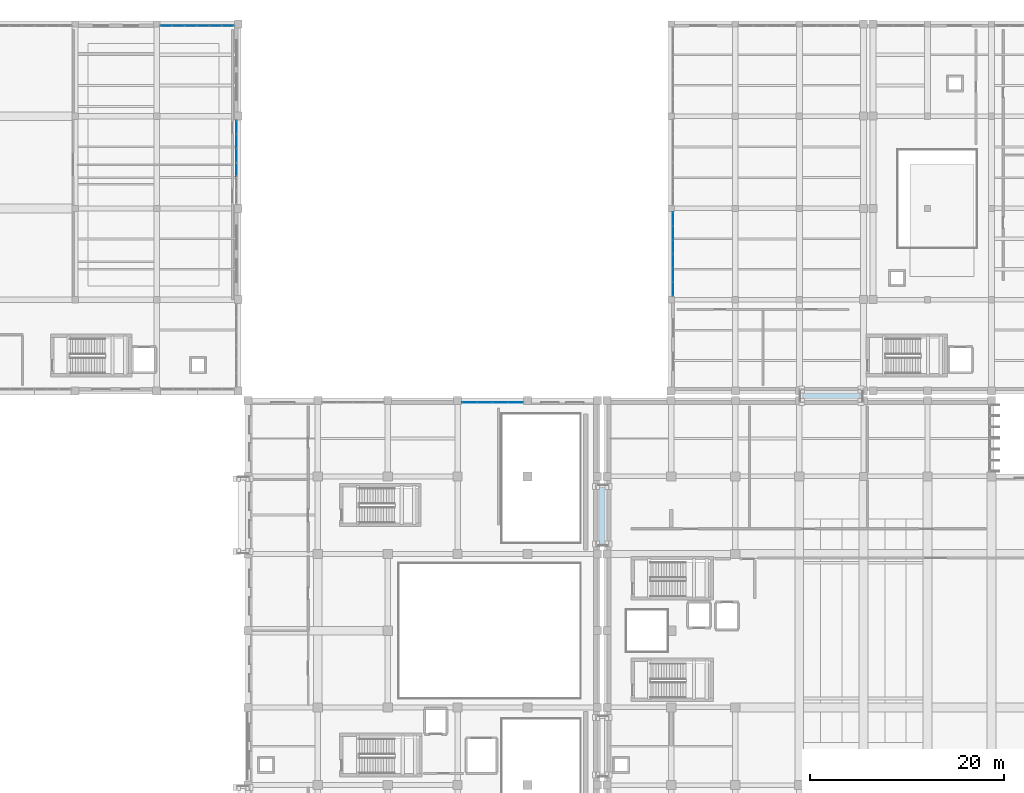
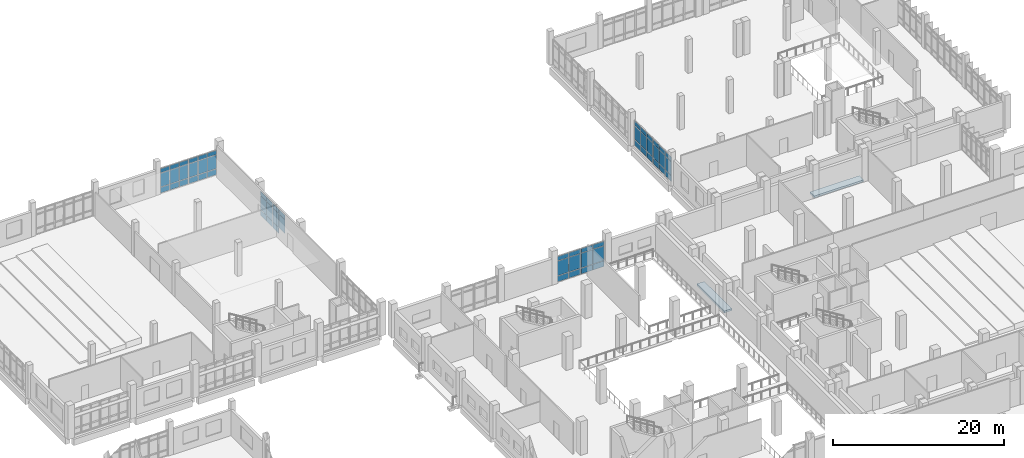
# One storey, part 57 of 90: 59 plates, 2 slabs, 8 elements without a shape of their own.
"""IFC4 building model written with IfcOpenShell, lengths in metres."""

from ifc_helpers import new_model, si_unit, direction, frame, origin, origin_2d, place, context, subcontext, project, spatial, polyline, rectangle, outline, extrude, material, layer, layer_set, type_object, element, aggregate, save


model = new_model("IFC4")

# Units and contexts
model_context = context("Model", 3, precision=1e-05, world=origin(), true_north=direction((0.0, 1.0)))
body_context = subcontext(model_context, "Body", "Model", "MODEL_VIEW")
ifc_project = project(units=[si_unit("LENGTHUNIT", "METRE"), si_unit("AREAUNIT", "SQUARE_METRE"), si_unit("VOLUMEUNIT", "CUBIC_METRE"), si_unit("PLANEANGLEUNIT", "RADIAN"), si_unit("MASSUNIT", "GRAM", prefix="KILO")], contexts=[model_context])

# Site, building, storey
site_placement = place(None, origin())
site = spatial("IfcSite", under=ifc_project, at=site_placement, CompositionType="ELEMENT")
building_placement = place(site_placement, origin())
building = spatial("IfcBuilding", under=site, at=building_placement, Name="Kelarvand Opera House", CompositionType="ELEMENT")
storey_placement = place(building_placement, frame((0.0, 0.0, 5.39990234375)))
storey = spatial("IfcBuildingStorey", under=building, at=storey_placement, Name="L01", CompositionType="ELEMENT", Elevation=5.39990234375)

# Curtain wall, plates
ifc_material_1 = material(Name="Thermally broken aluminium and low-E glazing", Category="aluminium")
ifc_layer_1 = layer(ifc_material_1, 0.179931640625, Name="Thermally broken aluminium and low-E glazing", Category="aluminium")
ifc_layer_set_1 = layer_set([ifc_layer_1], Name="Thermally broken aluminium and low-E glazing")
curtain_wall_type_1 = type_object("IfcCurtainWallType", Name="Unitised Low-E Curtain Wall 3176x3730 Mod 1350 CWF-10", PredefinedType="USERDEFINED", material=ifc_layer_set_1)
curtain_wall_1_placement = place(storey_placement, origin())
curtain_wall_1 = element("IfcCurtainWall", 1, at=curtain_wall_1_placement, inside=storey, type_object=curtain_wall_type_1, Name="V2 L01 Curtain Wall CWF-10 (33)", ObjectType="UNITISED CURTAIN WALL", PredefinedType="USERDEFINED")
ifc_material_2 = material(Name="Low-E laminated double glazing", Category="glass")
ifc_layer_2 = layer(ifc_material_2, 0.031982421875, Name="Low-E laminated double glazing", Category="glass")
ifc_layer_set_2 = layer_set([ifc_layer_2], Name="Low-E laminated double glazing")
plate_type = type_object("IfcPlateType", Name="Low-E Argon Double Glazed Curtain Panel 32mm", PredefinedType="CURTAIN_PANEL", material=ifc_layer_set_2)
plate_1_placement = place(storey_placement, frame((74.830322265625, 86.02001953125, 0.06494140625), z_axis=(0.0, 0.0, 1.0), x_axis=(1.0, 0.0, 0.0)))
plate_1 = element("IfcPlate", 2, at=plate_1_placement, type_object=plate_type, Name="CWF-10 panel 1.1", PredefinedType="CURTAIN_PANEL", context=body_context, shape_type="SweptSolid", body=[
    extrude(rectangle(XDim=1.490478515625, YDim=0.031982421875, at=origin_2d()), origin(), (0.0, 0.0, 1.0), 0.802490234375),
])
plate_2_placement = place(storey_placement, frame((74.830322265625, 86.02001953125, 0.9326171875), z_axis=(0.0, 0.0, 1.0), x_axis=(1.0, 0.0, 0.0)))
plate_2 = element("IfcPlate", 3, at=plate_2_placement, type_object=plate_type, Name="CWF-10 panel 1.2", PredefinedType="CURTAIN_PANEL", context=body_context, shape_type="SweptSolid", body=[
    extrude(rectangle(XDim=1.490478515625, YDim=0.031982421875, at=origin_2d()), origin(), (0.0, 0.0, 1.0), 2.06494140625),
])
plate_3_placement = place(storey_placement, frame((74.830322265625, 86.02001953125, 3.0625), z_axis=(0.0, 0.0, 1.0), x_axis=(1.0, 0.0, 0.0)))
plate_3 = element("IfcPlate", 4, at=plate_3_placement, type_object=plate_type, Name="CWF-10 panel 1.3", PredefinedType="CURTAIN_PANEL", context=body_context, shape_type="SweptSolid", body=[
    extrude(rectangle(XDim=1.490478515625, YDim=0.031982421875, at=origin_2d()), origin(), (0.0, 0.0, 1.0), 0.6025390625),
])
plate_4_placement = place(storey_placement, frame((76.3857421875, 86.02001953125, 0.06494140625), z_axis=(0.0, 0.0, 1.0), x_axis=(1.0, 0.0, 0.0)))
plate_4 = element("IfcPlate", 5, at=plate_4_placement, type_object=plate_type, Name="CWF-10 panel 2.1", PredefinedType="CURTAIN_PANEL", context=body_context, shape_type="SweptSolid", body=[
    extrude(rectangle(XDim=1.490478515625, YDim=0.031982421875, at=origin_2d()), origin(), (0.0, 0.0, 1.0), 0.802490234375),
])
plate_5_placement = place(storey_placement, frame((76.3857421875, 86.02001953125, 0.9326171875), z_axis=(0.0, 0.0, 1.0), x_axis=(1.0, 0.0, 0.0)))
plate_5 = element("IfcPlate", 6, at=plate_5_placement, type_object=plate_type, Name="CWF-10 panel 2.2", PredefinedType="CURTAIN_PANEL", context=body_context, shape_type="SweptSolid", body=[
    extrude(rectangle(XDim=1.490478515625, YDim=0.031982421875, at=origin_2d()), origin(), (0.0, 0.0, 1.0), 2.06494140625),
])
plate_6_placement = place(storey_placement, frame((76.3857421875, 86.02001953125, 3.0625), z_axis=(0.0, 0.0, 1.0), x_axis=(1.0, 0.0, 0.0)))
plate_6 = element("IfcPlate", 7, at=plate_6_placement, type_object=plate_type, Name="CWF-10 panel 2.3", PredefinedType="CURTAIN_PANEL", context=body_context, shape_type="SweptSolid", body=[
    extrude(rectangle(XDim=1.490478515625, YDim=0.031982421875, at=origin_2d()), origin(), (0.0, 0.0, 1.0), 0.6025390625),
])
aggregate(curtain_wall_1, [plate_1, plate_2, plate_3, plate_4, plate_5, plate_6])

curtain_wall_2_placement = place(storey_placement, origin())
curtain_wall_2 = element("IfcCurtainWall", 8, at=curtain_wall_2_placement, inside=storey, type_object=curtain_wall_type_1, Name="V2 L01 Curtain Wall CWF-10 (34)", ObjectType="UNITISED CURTAIN WALL", PredefinedType="USERDEFINED")
plate_7_placement = place(storey_placement, frame((78.01123046875, 86.02001953125, 0.06494140625), z_axis=(0.0, 0.0, 1.0), x_axis=(1.0, 0.0, 0.0)))
plate_7 = element("IfcPlate", 9, at=plate_7_placement, type_object=plate_type, Name="CWF-10 panel 1.1", PredefinedType="CURTAIN_PANEL", context=body_context, shape_type="SweptSolid", body=[
    extrude(rectangle(XDim=1.492431640625, YDim=0.031982421875, at=origin_2d()), origin(), (0.0, 0.0, 1.0), 0.802490234375),
])
plate_8_placement = place(storey_placement, frame((78.01123046875, 86.02001953125, 0.9326171875), z_axis=(0.0, 0.0, 1.0), x_axis=(1.0, 0.0, 0.0)))
plate_8 = element("IfcPlate", 10, at=plate_8_placement, type_object=plate_type, Name="CWF-10 panel 1.2", PredefinedType="CURTAIN_PANEL", context=body_context, shape_type="SweptSolid", body=[
    extrude(rectangle(XDim=1.492431640625, YDim=0.031982421875, at=origin_2d()), origin(), (0.0, 0.0, 1.0), 2.06494140625),
])
plate_9_placement = place(storey_placement, frame((78.01123046875, 86.02001953125, 3.0625), z_axis=(0.0, 0.0, 1.0), x_axis=(1.0, 0.0, 0.0)))
plate_9 = element("IfcPlate", 11, at=plate_9_placement, type_object=plate_type, Name="CWF-10 panel 1.3", PredefinedType="CURTAIN_PANEL", context=body_context, shape_type="SweptSolid", body=[
    extrude(rectangle(XDim=1.492431640625, YDim=0.031982421875, at=origin_2d()), origin(), (0.0, 0.0, 1.0), 0.6025390625),
])
plate_10_placement = place(storey_placement, frame((79.56884765625, 86.02001953125, 0.06494140625), z_axis=(0.0, 0.0, 1.0), x_axis=(1.0, 0.0, 0.0)))
plate_10 = element("IfcPlate", 12, at=plate_10_placement, type_object=plate_type, Name="CWF-10 panel 2.1", PredefinedType="CURTAIN_PANEL", context=body_context, shape_type="SweptSolid", body=[
    extrude(rectangle(XDim=1.492431640625, YDim=0.031982421875, at=origin_2d()), origin(), (0.0, 0.0, 1.0), 0.802490234375),
])
plate_11_placement = place(storey_placement, frame((79.56884765625, 86.02001953125, 0.9326171875), z_axis=(0.0, 0.0, 1.0), x_axis=(1.0, 0.0, 0.0)))
plate_11 = element("IfcPlate", 13, at=plate_11_placement, type_object=plate_type, Name="CWF-10 panel 2.2", PredefinedType="CURTAIN_PANEL", context=body_context, shape_type="SweptSolid", body=[
    extrude(rectangle(XDim=1.492431640625, YDim=0.031982421875, at=origin_2d()), origin(), (0.0, 0.0, 1.0), 2.06494140625),
])
plate_12_placement = place(storey_placement, frame((79.56884765625, 86.02001953125, 3.0625), z_axis=(0.0, 0.0, 1.0), x_axis=(1.0, 0.0, 0.0)))
plate_12 = element("IfcPlate", 14, at=plate_12_placement, type_object=plate_type, Name="CWF-10 panel 2.3", PredefinedType="CURTAIN_PANEL", context=body_context, shape_type="SweptSolid", body=[
    extrude(rectangle(XDim=1.492431640625, YDim=0.031982421875, at=origin_2d()), origin(), (0.0, 0.0, 1.0), 0.6025390625),
])
aggregate(curtain_wall_2, [plate_7, plate_8, plate_9, plate_10, plate_11, plate_12])

ifc_layer_3 = layer(ifc_material_1, 0.179931640625, Name="Thermally broken aluminium and low-E glazing", Category="aluminium")
ifc_layer_set_3 = layer_set([ifc_layer_3], Name="Thermally broken aluminium and low-E glazing")
curtain_wall_type_2 = type_object("IfcCurtainWallType", Name="Unitised Low-E Curtain Wall 4326x3600 Mod 1350 CWF-15", PredefinedType="USERDEFINED", material=ifc_layer_set_3)
curtain_wall_3_placement = place(storey_placement, origin())
curtain_wall_3 = element("IfcCurtainWall", 15, at=curtain_wall_3_placement, inside=storey, type_object=curtain_wall_type_2, Name="V3 L01 Curtain Wall CWF-15 (47)", ObjectType="UNITISED CURTAIN WALL", PredefinedType="USERDEFINED")
plate_13_placement = place(storey_placement, frame((50.820068359375, 114.3427734375, 0.06494140625), z_axis=(0.0, 0.0, 1.0), x_axis=(0.0, -1.0, 0.0)))
plate_13 = element("IfcPlate", 16, at=plate_13_placement, type_object=plate_type, Name="CWF-15 panel 1.1", PredefinedType="CURTAIN_PANEL", context=body_context, shape_type="SweptSolid", body=[
    extrude(rectangle(XDim=1.344482421875, YDim=0.031982421875, at=origin_2d()), origin(), (0.0, 0.0, 1.0), 0.802490234375),
])
plate_14_placement = place(storey_placement, frame((50.820068359375, 114.3427734375, 0.9326171875), z_axis=(0.0, 0.0, 1.0), x_axis=(0.0, -1.0, 0.0)))
plate_14 = element("IfcPlate", 17, at=plate_14_placement, type_object=plate_type, Name="CWF-15 panel 1.2", PredefinedType="CURTAIN_PANEL", context=body_context, shape_type="SweptSolid", body=[
    extrude(rectangle(XDim=1.344482421875, YDim=0.031982421875, at=origin_2d()), origin(), (0.0, 0.0, 1.0), 1.93505859375),
])
plate_15_placement = place(storey_placement, frame((50.820068359375, 114.3427734375, 2.9326171875), z_axis=(0.0, 0.0, 1.0), x_axis=(0.0, -1.0, 0.0)))
plate_15 = element("IfcPlate", 18, at=plate_15_placement, type_object=plate_type, Name="CWF-15 panel 1.3", PredefinedType="CURTAIN_PANEL", context=body_context, shape_type="SweptSolid", body=[
    extrude(rectangle(XDim=1.344482421875, YDim=0.031982421875, at=origin_2d()), origin(), (0.0, 0.0, 1.0), 0.6025390625),
])
plate_16_placement = place(storey_placement, frame((50.820068359375, 112.9169921875, 0.06494140625), z_axis=(0.0, 0.0, 1.0), x_axis=(0.0, -1.0, 0.0)))
plate_16 = element("IfcPlate", 19, at=plate_16_placement, type_object=plate_type, Name="CWF-15 panel 2.1", PredefinedType="CURTAIN_PANEL", context=body_context, shape_type="SweptSolid", body=[
    extrude(rectangle(XDim=1.376953125, YDim=0.031982421875, at=origin_2d()), origin(), (0.0, 0.0, 1.0), 0.802490234375),
])
plate_17_placement = place(storey_placement, frame((50.820068359375, 112.9169921875, 0.9326171875), z_axis=(0.0, 0.0, 1.0), x_axis=(0.0, -1.0, 0.0)))
plate_17 = element("IfcPlate", 20, at=plate_17_placement, type_object=plate_type, Name="CWF-15 panel 2.2", PredefinedType="CURTAIN_PANEL", context=body_context, shape_type="SweptSolid", body=[
    extrude(rectangle(XDim=1.376953125, YDim=0.031982421875, at=origin_2d()), origin(), (0.0, 0.0, 1.0), 1.93505859375),
])
plate_18_placement = place(storey_placement, frame((50.820068359375, 112.9169921875, 2.9326171875), z_axis=(0.0, 0.0, 1.0), x_axis=(0.0, -1.0, 0.0)))
plate_18 = element("IfcPlate", 21, at=plate_18_placement, type_object=plate_type, Name="CWF-15 panel 2.3", PredefinedType="CURTAIN_PANEL", context=body_context, shape_type="SweptSolid", body=[
    extrude(rectangle(XDim=1.376953125, YDim=0.031982421875, at=origin_2d()), origin(), (0.0, 0.0, 1.0), 0.6025390625),
])
plate_19_placement = place(storey_placement, frame((50.820068359375, 111.4912109375, 0.06494140625), z_axis=(0.0, 0.0, 1.0), x_axis=(0.0, -1.0, 0.0)))
plate_19 = element("IfcPlate", 22, at=plate_19_placement, type_object=plate_type, Name="CWF-15 panel 3.1", PredefinedType="CURTAIN_PANEL", context=body_context, shape_type="SweptSolid", body=[
    extrude(rectangle(XDim=1.344482421875, YDim=0.031982421875, at=origin_2d()), origin(), (0.0, 0.0, 1.0), 0.802490234375),
])
plate_20_placement = place(storey_placement, frame((50.820068359375, 111.4912109375, 0.9326171875), z_axis=(0.0, 0.0, 1.0), x_axis=(0.0, -1.0, 0.0)))
plate_20 = element("IfcPlate", 23, at=plate_20_placement, type_object=plate_type, Name="CWF-15 panel 3.2", PredefinedType="CURTAIN_PANEL", context=body_context, shape_type="SweptSolid", body=[
    extrude(rectangle(XDim=1.344482421875, YDim=0.031982421875, at=origin_2d()), origin(), (0.0, 0.0, 1.0), 1.93505859375),
])
plate_21_placement = place(storey_placement, frame((50.820068359375, 111.4912109375, 2.9326171875), z_axis=(0.0, 0.0, 1.0), x_axis=(0.0, -1.0, 0.0)))
plate_21 = element("IfcPlate", 24, at=plate_21_placement, type_object=plate_type, Name="CWF-15 panel 3.3", PredefinedType="CURTAIN_PANEL", context=body_context, shape_type="SweptSolid", body=[
    extrude(rectangle(XDim=1.344482421875, YDim=0.031982421875, at=origin_2d()), origin(), (0.0, 0.0, 1.0), 0.6025390625),
])
aggregate(curtain_wall_3, [plate_13, plate_14, plate_15, plate_16, plate_17, plate_18, plate_19, plate_20, plate_21])

curtain_wall_4_placement = place(storey_placement, origin())
curtain_wall_4 = element("IfcCurtainWall", 25, at=curtain_wall_4_placement, inside=storey, type_object=curtain_wall_type_2, Name="V3 L01 Curtain Wall CWF-15 (48)", ObjectType="UNITISED CURTAIN WALL", PredefinedType="USERDEFINED")
plate_22_placement = place(storey_placement, frame((50.820068359375, 110.011962890625, 0.9326171875), z_axis=(0.0, 0.0, 1.0), x_axis=(0.0, -1.0, 0.0)))
plate_22 = element("IfcPlate", 26, at=plate_22_placement, type_object=plate_type, Name="CWF-15 panel 1.2", PredefinedType="CURTAIN_PANEL", context=body_context, shape_type="SweptSolid", body=[
    extrude(rectangle(XDim=1.345947265625, YDim=0.031982421875, at=origin_2d()), origin(), (0.0, 0.0, 1.0), 1.93505859375),
])
plate_23_placement = place(storey_placement, frame((50.820068359375, 110.011962890625, 2.9326171875), z_axis=(0.0, 0.0, 1.0), x_axis=(0.0, -1.0, 0.0)))
plate_23 = element("IfcPlate", 27, at=plate_23_placement, type_object=plate_type, Name="CWF-15 panel 1.3", PredefinedType="CURTAIN_PANEL", context=body_context, shape_type="SweptSolid", body=[
    extrude(rectangle(XDim=1.345947265625, YDim=0.031982421875, at=origin_2d()), origin(), (0.0, 0.0, 1.0), 0.6025390625),
])
aggregate(curtain_wall_4, [plate_22, plate_23])

ifc_layer_4 = layer(ifc_material_1, 0.179931640625, Name="Thermally broken aluminium and low-E glazing", Category="aluminium")
ifc_layer_set_4 = layer_set([ifc_layer_4], Name="Thermally broken aluminium and low-E glazing")
curtain_wall_type_3 = type_object("IfcCurtainWallType", Name="Unitised Low-E Curtain Wall 3818x3600 Mod 1350 CWF-18", PredefinedType="USERDEFINED", material=ifc_layer_set_4)
curtain_wall_5_placement = place(storey_placement, origin())
curtain_wall_5 = element("IfcCurtainWall", 28, at=curtain_wall_5_placement, inside=storey, type_object=curtain_wall_type_3, Name="V3 L01 Curtain Wall CWF-18 (55)", ObjectType="UNITISED CURTAIN WALL", PredefinedType="USERDEFINED")
plate_24_placement = place(storey_placement, frame((43.587646484375, 124.820068359375, 0.06494140625), z_axis=(0.0, 0.0, 1.0), x_axis=(1.0, 0.0, 0.0)))
plate_24 = element("IfcPlate", 29, at=plate_24_placement, type_object=plate_type, Name="CWF-18 panel 1.1", PredefinedType="CURTAIN_PANEL", context=body_context, shape_type="SweptSolid", body=[
    extrude(rectangle(XDim=1.17529296875, YDim=0.031982421875, at=origin_2d()), origin(), (0.0, 0.0, 1.0), 0.802490234375),
])
plate_25_placement = place(storey_placement, frame((43.587646484375, 124.820068359375, 0.9326171875), z_axis=(0.0, 0.0, 1.0), x_axis=(1.0, 0.0, 0.0)))
plate_25 = element("IfcPlate", 30, at=plate_25_placement, type_object=plate_type, Name="CWF-18 panel 1.2", PredefinedType="CURTAIN_PANEL", context=body_context, shape_type="SweptSolid", body=[
    extrude(rectangle(XDim=1.17529296875, YDim=0.031982421875, at=origin_2d()), origin(), (0.0, 0.0, 1.0), 1.93505859375),
])
plate_26_placement = place(storey_placement, frame((43.587646484375, 124.820068359375, 2.9326171875), z_axis=(0.0, 0.0, 1.0), x_axis=(1.0, 0.0, 0.0)))
plate_26 = element("IfcPlate", 31, at=plate_26_placement, type_object=plate_type, Name="CWF-18 panel 1.3", PredefinedType="CURTAIN_PANEL", context=body_context, shape_type="SweptSolid", body=[
    extrude(rectangle(XDim=1.17529296875, YDim=0.031982421875, at=origin_2d()), origin(), (0.0, 0.0, 1.0), 0.6025390625),
])
plate_27_placement = place(storey_placement, frame((44.84423828125, 124.820068359375, 0.06494140625), z_axis=(0.0, 0.0, 1.0), x_axis=(1.0, 0.0, 0.0)))
plate_27 = element("IfcPlate", 32, at=plate_27_placement, type_object=plate_type, Name="CWF-18 panel 2.1", PredefinedType="CURTAIN_PANEL", context=body_context, shape_type="SweptSolid", body=[
    extrude(rectangle(XDim=1.207763671875, YDim=0.031982421875, at=origin_2d()), origin(), (0.0, 0.0, 1.0), 0.802490234375),
])
plate_28_placement = place(storey_placement, frame((44.84423828125, 124.820068359375, 0.9326171875), z_axis=(0.0, 0.0, 1.0), x_axis=(1.0, 0.0, 0.0)))
plate_28 = element("IfcPlate", 33, at=plate_28_placement, type_object=plate_type, Name="CWF-18 panel 2.2", PredefinedType="CURTAIN_PANEL", context=body_context, shape_type="SweptSolid", body=[
    extrude(rectangle(XDim=1.207763671875, YDim=0.031982421875, at=origin_2d()), origin(), (0.0, 0.0, 1.0), 1.93505859375),
])
plate_29_placement = place(storey_placement, frame((44.84423828125, 124.820068359375, 2.9326171875), z_axis=(0.0, 0.0, 1.0), x_axis=(1.0, 0.0, 0.0)))
plate_29 = element("IfcPlate", 34, at=plate_29_placement, type_object=plate_type, Name="CWF-18 panel 2.3", PredefinedType="CURTAIN_PANEL", context=body_context, shape_type="SweptSolid", body=[
    extrude(rectangle(XDim=1.207763671875, YDim=0.031982421875, at=origin_2d()), origin(), (0.0, 0.0, 1.0), 0.6025390625),
])
plate_30_placement = place(storey_placement, frame((46.100830078125, 124.820068359375, 0.06494140625), z_axis=(0.0, 0.0, 1.0), x_axis=(1.0, 0.0, 0.0)))
plate_30 = element("IfcPlate", 35, at=plate_30_placement, type_object=plate_type, Name="CWF-18 panel 3.1", PredefinedType="CURTAIN_PANEL", context=body_context, shape_type="SweptSolid", body=[
    extrude(rectangle(XDim=1.17529296875, YDim=0.031982421875, at=origin_2d()), origin(), (0.0, 0.0, 1.0), 0.802490234375),
])
plate_31_placement = place(storey_placement, frame((46.100830078125, 124.820068359375, 0.9326171875), z_axis=(0.0, 0.0, 1.0), x_axis=(1.0, 0.0, 0.0)))
plate_31 = element("IfcPlate", 36, at=plate_31_placement, type_object=plate_type, Name="CWF-18 panel 3.2", PredefinedType="CURTAIN_PANEL", context=body_context, shape_type="SweptSolid", body=[
    extrude(rectangle(XDim=1.17529296875, YDim=0.031982421875, at=origin_2d()), origin(), (0.0, 0.0, 1.0), 1.93505859375),
])
plate_32_placement = place(storey_placement, frame((46.100830078125, 124.820068359375, 2.9326171875), z_axis=(0.0, 0.0, 1.0), x_axis=(1.0, 0.0, 0.0)))
plate_32 = element("IfcPlate", 37, at=plate_32_placement, type_object=plate_type, Name="CWF-18 panel 3.3", PredefinedType="CURTAIN_PANEL", context=body_context, shape_type="SweptSolid", body=[
    extrude(rectangle(XDim=1.17529296875, YDim=0.031982421875, at=origin_2d()), origin(), (0.0, 0.0, 1.0), 0.6025390625),
])
aggregate(curtain_wall_5, [plate_24, plate_25, plate_26, plate_27, plate_28, plate_29, plate_30, plate_31, plate_32])

curtain_wall_6_placement = place(storey_placement, origin())
curtain_wall_6 = element("IfcCurtainWall", 38, at=curtain_wall_6_placement, inside=storey, type_object=curtain_wall_type_3, Name="V3 L01 Curtain Wall CWF-18 (56)", ObjectType="UNITISED CURTAIN WALL", PredefinedType="USERDEFINED")
plate_33_placement = place(storey_placement, frame((47.410888671875, 124.820068359375, 0.06494140625), z_axis=(0.0, 0.0, 1.0), x_axis=(1.0, 0.0, 0.0)))
plate_33 = element("IfcPlate", 39, at=plate_33_placement, type_object=plate_type, Name="CWF-18 panel 1.1", PredefinedType="CURTAIN_PANEL", context=body_context, shape_type="SweptSolid", body=[
    extrude(rectangle(XDim=1.1767578125, YDim=0.031982421875, at=origin_2d()), origin(), (0.0, 0.0, 1.0), 0.802490234375),
])
plate_34_placement = place(storey_placement, frame((47.410888671875, 124.820068359375, 0.9326171875), z_axis=(0.0, 0.0, 1.0), x_axis=(1.0, 0.0, 0.0)))
plate_34 = element("IfcPlate", 40, at=plate_34_placement, type_object=plate_type, Name="CWF-18 panel 1.2", PredefinedType="CURTAIN_PANEL", context=body_context, shape_type="SweptSolid", body=[
    extrude(rectangle(XDim=1.1767578125, YDim=0.031982421875, at=origin_2d()), origin(), (0.0, 0.0, 1.0), 1.93505859375),
])
plate_35_placement = place(storey_placement, frame((47.410888671875, 124.820068359375, 2.9326171875), z_axis=(0.0, 0.0, 1.0), x_axis=(1.0, 0.0, 0.0)))
plate_35 = element("IfcPlate", 41, at=plate_35_placement, type_object=plate_type, Name="CWF-18 panel 1.3", PredefinedType="CURTAIN_PANEL", context=body_context, shape_type="SweptSolid", body=[
    extrude(rectangle(XDim=1.1767578125, YDim=0.031982421875, at=origin_2d()), origin(), (0.0, 0.0, 1.0), 0.6025390625),
])
plate_36_placement = place(storey_placement, frame((48.668701171875, 124.820068359375, 0.06494140625), z_axis=(0.0, 0.0, 1.0), x_axis=(1.0, 0.0, 0.0)))
plate_36 = element("IfcPlate", 42, at=plate_36_placement, type_object=plate_type, Name="CWF-18 panel 2.1", PredefinedType="CURTAIN_PANEL", context=body_context, shape_type="SweptSolid", body=[
    extrude(rectangle(XDim=1.209228515625, YDim=0.031982421875, at=origin_2d()), origin(), (0.0, 0.0, 1.0), 0.802490234375),
])
plate_37_placement = place(storey_placement, frame((48.668701171875, 124.820068359375, 0.9326171875), z_axis=(0.0, 0.0, 1.0), x_axis=(1.0, 0.0, 0.0)))
plate_37 = element("IfcPlate", 43, at=plate_37_placement, type_object=plate_type, Name="CWF-18 panel 2.2", PredefinedType="CURTAIN_PANEL", context=body_context, shape_type="SweptSolid", body=[
    extrude(rectangle(XDim=1.209228515625, YDim=0.031982421875, at=origin_2d()), origin(), (0.0, 0.0, 1.0), 1.93505859375),
])
plate_38_placement = place(storey_placement, frame((48.668701171875, 124.820068359375, 2.9326171875), z_axis=(0.0, 0.0, 1.0), x_axis=(1.0, 0.0, 0.0)))
plate_38 = element("IfcPlate", 44, at=plate_38_placement, type_object=plate_type, Name="CWF-18 panel 2.3", PredefinedType="CURTAIN_PANEL", context=body_context, shape_type="SweptSolid", body=[
    extrude(rectangle(XDim=1.209228515625, YDim=0.031982421875, at=origin_2d()), origin(), (0.0, 0.0, 1.0), 0.6025390625),
])
plate_39_placement = place(storey_placement, frame((49.9267578125, 124.820068359375, 0.06494140625), z_axis=(0.0, 0.0, 1.0), x_axis=(1.0, 0.0, 0.0)))
plate_39 = element("IfcPlate", 45, at=plate_39_placement, type_object=plate_type, Name="CWF-18 panel 3.1", PredefinedType="CURTAIN_PANEL", context=body_context, shape_type="SweptSolid", body=[
    extrude(rectangle(XDim=1.1767578125, YDim=0.031982421875, at=origin_2d()), origin(), (0.0, 0.0, 1.0), 0.802490234375),
])
plate_40_placement = place(storey_placement, frame((49.9267578125, 124.820068359375, 0.9326171875), z_axis=(0.0, 0.0, 1.0), x_axis=(1.0, 0.0, 0.0)))
plate_40 = element("IfcPlate", 46, at=plate_40_placement, type_object=plate_type, Name="CWF-18 panel 3.2", PredefinedType="CURTAIN_PANEL", context=body_context, shape_type="SweptSolid", body=[
    extrude(rectangle(XDim=1.1767578125, YDim=0.031982421875, at=origin_2d()), origin(), (0.0, 0.0, 1.0), 1.93505859375),
])
plate_41_placement = place(storey_placement, frame((49.9267578125, 124.820068359375, 2.9326171875), z_axis=(0.0, 0.0, 1.0), x_axis=(1.0, 0.0, 0.0)))
plate_41 = element("IfcPlate", 47, at=plate_41_placement, type_object=plate_type, Name="CWF-18 panel 3.3", PredefinedType="CURTAIN_PANEL", context=body_context, shape_type="SweptSolid", body=[
    extrude(rectangle(XDim=1.1767578125, YDim=0.031982421875, at=origin_2d()), origin(), (0.0, 0.0, 1.0), 0.6025390625),
])
aggregate(curtain_wall_6, [plate_33, plate_34, plate_35, plate_36, plate_37, plate_38, plate_39, plate_40, plate_41])

ifc_layer_5 = layer(ifc_material_1, 0.179931640625, Name="Thermally broken aluminium and low-E glazing", Category="aluminium")
ifc_layer_set_5 = layer_set([ifc_layer_5], Name="Thermally broken aluminium and low-E glazing")
curtain_wall_type_4 = type_object("IfcCurtainWallType", Name="Unitised Low-E Curtain Wall 4361x3600 Mod 1450 CWF-42", PredefinedType="USERDEFINED", material=ifc_layer_set_5)
curtain_wall_7_placement = place(storey_placement, origin())
curtain_wall_7 = element("IfcCurtainWall", 48, at=curtain_wall_7_placement, inside=storey, type_object=curtain_wall_type_4, Name="V5 L01 Curtain Wall CWF-42 (184)", ObjectType="UNITISED CURTAIN WALL", PredefinedType="USERDEFINED")
plate_42_placement = place(storey_placement, frame((95.780029296875, 97.677978515625, 0.06494140625), z_axis=(0.0, 0.0, 1.0), x_axis=(0.0, 1.0, 0.0)))
plate_42 = element("IfcPlate", 49, at=plate_42_placement, type_object=plate_type, Name="CWF-42 panel 1.1", PredefinedType="CURTAIN_PANEL", context=body_context, shape_type="SweptSolid", body=[
    extrude(rectangle(XDim=1.356201171875, YDim=0.031982421875, at=origin_2d()), origin(), (0.0, 0.0, 1.0), 0.802490234375),
])
plate_43_placement = place(storey_placement, frame((95.780029296875, 97.677978515625, 0.9326171875), z_axis=(0.0, 0.0, 1.0), x_axis=(0.0, 1.0, 0.0)))
plate_43 = element("IfcPlate", 50, at=plate_43_placement, type_object=plate_type, Name="CWF-42 panel 1.2", PredefinedType="CURTAIN_PANEL", context=body_context, shape_type="SweptSolid", body=[
    extrude(rectangle(XDim=1.356201171875, YDim=0.031982421875, at=origin_2d()), origin(), (0.0, 0.0, 1.0), 1.93505859375),
])
plate_44_placement = place(storey_placement, frame((95.780029296875, 97.677978515625, 2.9326171875), z_axis=(0.0, 0.0, 1.0), x_axis=(0.0, 1.0, 0.0)))
plate_44 = element("IfcPlate", 51, at=plate_44_placement, type_object=plate_type, Name="CWF-42 panel 1.3", PredefinedType="CURTAIN_PANEL", context=body_context, shape_type="SweptSolid", body=[
    extrude(rectangle(XDim=1.356201171875, YDim=0.031982421875, at=origin_2d()), origin(), (0.0, 0.0, 1.0), 0.6025390625),
])
plate_45_placement = place(storey_placement, frame((95.780029296875, 99.115478515625, 0.06494140625), z_axis=(0.0, 0.0, 1.0), x_axis=(0.0, 1.0, 0.0)))
plate_45 = element("IfcPlate", 52, at=plate_45_placement, type_object=plate_type, Name="CWF-42 panel 2.1", PredefinedType="CURTAIN_PANEL", context=body_context, shape_type="SweptSolid", body=[
    extrude(rectangle(XDim=1.388671875, YDim=0.031982421875, at=origin_2d()), origin(), (0.0, 0.0, 1.0), 0.802490234375),
])
plate_46_placement = place(storey_placement, frame((95.780029296875, 99.115478515625, 0.9326171875), z_axis=(0.0, 0.0, 1.0), x_axis=(0.0, 1.0, 0.0)))
plate_46 = element("IfcPlate", 53, at=plate_46_placement, type_object=plate_type, Name="CWF-42 panel 2.2", PredefinedType="CURTAIN_PANEL", context=body_context, shape_type="SweptSolid", body=[
    extrude(rectangle(XDim=1.388671875, YDim=0.031982421875, at=origin_2d()), origin(), (0.0, 0.0, 1.0), 1.93505859375),
])
plate_47_placement = place(storey_placement, frame((95.780029296875, 99.115478515625, 2.9326171875), z_axis=(0.0, 0.0, 1.0), x_axis=(0.0, 1.0, 0.0)))
plate_47 = element("IfcPlate", 54, at=plate_47_placement, type_object=plate_type, Name="CWF-42 panel 2.3", PredefinedType="CURTAIN_PANEL", context=body_context, shape_type="SweptSolid", body=[
    extrude(rectangle(XDim=1.388671875, YDim=0.031982421875, at=origin_2d()), origin(), (0.0, 0.0, 1.0), 0.6025390625),
])
plate_48_placement = place(storey_placement, frame((95.780029296875, 100.552978515625, 0.06494140625), z_axis=(0.0, 0.0, 1.0), x_axis=(0.0, 1.0, 0.0)))
plate_48 = element("IfcPlate", 55, at=plate_48_placement, type_object=plate_type, Name="CWF-42 panel 3.1", PredefinedType="CURTAIN_PANEL", context=body_context, shape_type="SweptSolid", body=[
    extrude(rectangle(XDim=1.356201171875, YDim=0.031982421875, at=origin_2d()), origin(), (0.0, 0.0, 1.0), 0.802490234375),
])
plate_49_placement = place(storey_placement, frame((95.780029296875, 100.552978515625, 0.9326171875), z_axis=(0.0, 0.0, 1.0), x_axis=(0.0, 1.0, 0.0)))
plate_49 = element("IfcPlate", 56, at=plate_49_placement, type_object=plate_type, Name="CWF-42 panel 3.2", PredefinedType="CURTAIN_PANEL", context=body_context, shape_type="SweptSolid", body=[
    extrude(rectangle(XDim=1.356201171875, YDim=0.031982421875, at=origin_2d()), origin(), (0.0, 0.0, 1.0), 1.93505859375),
])
plate_50_placement = place(storey_placement, frame((95.780029296875, 100.552978515625, 2.9326171875), z_axis=(0.0, 0.0, 1.0), x_axis=(0.0, 1.0, 0.0)))
plate_50 = element("IfcPlate", 57, at=plate_50_placement, type_object=plate_type, Name="CWF-42 panel 3.3", PredefinedType="CURTAIN_PANEL", context=body_context, shape_type="SweptSolid", body=[
    extrude(rectangle(XDim=1.356201171875, YDim=0.031982421875, at=origin_2d()), origin(), (0.0, 0.0, 1.0), 0.6025390625),
])
aggregate(curtain_wall_7, [plate_42, plate_43, plate_44, plate_45, plate_46, plate_47, plate_48, plate_49, plate_50])

curtain_wall_8_placement = place(storey_placement, origin())
curtain_wall_8 = element("IfcCurtainWall", 58, at=curtain_wall_8_placement, inside=storey, type_object=curtain_wall_type_4, Name="V5 L01 Curtain Wall CWF-42 (185)", ObjectType="UNITISED CURTAIN WALL", PredefinedType="USERDEFINED")
plate_51_placement = place(storey_placement, frame((95.780029296875, 102.043701171875, 0.06494140625), z_axis=(0.0, 0.0, 1.0), x_axis=(0.0, 1.0, 0.0)))
plate_51 = element("IfcPlate", 59, at=plate_51_placement, type_object=plate_type, Name="CWF-42 panel 1.1", PredefinedType="CURTAIN_PANEL", context=body_context, shape_type="SweptSolid", body=[
    extrude(rectangle(XDim=1.357421875, YDim=0.031982421875, at=origin_2d()), origin(), (0.0, 0.0, 1.0), 0.802490234375),
])
plate_52_placement = place(storey_placement, frame((95.780029296875, 102.043701171875, 0.9326171875), z_axis=(0.0, 0.0, 1.0), x_axis=(0.0, 1.0, 0.0)))
plate_52 = element("IfcPlate", 60, at=plate_52_placement, type_object=plate_type, Name="CWF-42 panel 1.2", PredefinedType="CURTAIN_PANEL", context=body_context, shape_type="SweptSolid", body=[
    extrude(rectangle(XDim=1.357421875, YDim=0.031982421875, at=origin_2d()), origin(), (0.0, 0.0, 1.0), 1.93505859375),
])
plate_53_placement = place(storey_placement, frame((95.780029296875, 102.043701171875, 2.9326171875), z_axis=(0.0, 0.0, 1.0), x_axis=(0.0, 1.0, 0.0)))
plate_53 = element("IfcPlate", 61, at=plate_53_placement, type_object=plate_type, Name="CWF-42 panel 1.3", PredefinedType="CURTAIN_PANEL", context=body_context, shape_type="SweptSolid", body=[
    extrude(rectangle(XDim=1.357421875, YDim=0.031982421875, at=origin_2d()), origin(), (0.0, 0.0, 1.0), 0.6025390625),
])
plate_54_placement = place(storey_placement, frame((95.780029296875, 103.482421875, 0.06494140625), z_axis=(0.0, 0.0, 1.0), x_axis=(0.0, 1.0, 0.0)))
plate_54 = element("IfcPlate", 62, at=plate_54_placement, type_object=plate_type, Name="CWF-42 panel 2.1", PredefinedType="CURTAIN_PANEL", context=body_context, shape_type="SweptSolid", body=[
    extrude(rectangle(XDim=1.389892578125, YDim=0.031982421875, at=origin_2d()), origin(), (0.0, 0.0, 1.0), 0.802490234375),
])
plate_55_placement = place(storey_placement, frame((95.780029296875, 103.482421875, 0.9326171875), z_axis=(0.0, 0.0, 1.0), x_axis=(0.0, 1.0, 0.0)))
plate_55 = element("IfcPlate", 63, at=plate_55_placement, type_object=plate_type, Name="CWF-42 panel 2.2", PredefinedType="CURTAIN_PANEL", context=body_context, shape_type="SweptSolid", body=[
    extrude(rectangle(XDim=1.389892578125, YDim=0.031982421875, at=origin_2d()), origin(), (0.0, 0.0, 1.0), 1.93505859375),
])
plate_56_placement = place(storey_placement, frame((95.780029296875, 103.482421875, 2.9326171875), z_axis=(0.0, 0.0, 1.0), x_axis=(0.0, 1.0, 0.0)))
plate_56 = element("IfcPlate", 64, at=plate_56_placement, type_object=plate_type, Name="CWF-42 panel 2.3", PredefinedType="CURTAIN_PANEL", context=body_context, shape_type="SweptSolid", body=[
    extrude(rectangle(XDim=1.389892578125, YDim=0.031982421875, at=origin_2d()), origin(), (0.0, 0.0, 1.0), 0.6025390625),
])
plate_57_placement = place(storey_placement, frame((95.780029296875, 104.921142578125, 0.06494140625), z_axis=(0.0, 0.0, 1.0), x_axis=(0.0, 1.0, 0.0)))
plate_57 = element("IfcPlate", 65, at=plate_57_placement, type_object=plate_type, Name="CWF-42 panel 3.1", PredefinedType="CURTAIN_PANEL", context=body_context, shape_type="SweptSolid", body=[
    extrude(rectangle(XDim=1.357421875, YDim=0.031982421875, at=origin_2d()), origin(), (0.0, 0.0, 1.0), 0.802490234375),
])
plate_58_placement = place(storey_placement, frame((95.780029296875, 104.921142578125, 0.9326171875), z_axis=(0.0, 0.0, 1.0), x_axis=(0.0, 1.0, 0.0)))
plate_58 = element("IfcPlate", 66, at=plate_58_placement, type_object=plate_type, Name="CWF-42 panel 3.2", PredefinedType="CURTAIN_PANEL", context=body_context, shape_type="SweptSolid", body=[
    extrude(rectangle(XDim=1.357421875, YDim=0.031982421875, at=origin_2d()), origin(), (0.0, 0.0, 1.0), 1.93505859375),
])
plate_59_placement = place(storey_placement, frame((95.780029296875, 104.921142578125, 2.9326171875), z_axis=(0.0, 0.0, 1.0), x_axis=(0.0, 1.0, 0.0)))
plate_59 = element("IfcPlate", 67, at=plate_59_placement, type_object=plate_type, Name="CWF-42 panel 3.3", PredefinedType="CURTAIN_PANEL", context=body_context, shape_type="SweptSolid", body=[
    extrude(rectangle(XDim=1.357421875, YDim=0.031982421875, at=origin_2d()), origin(), (0.0, 0.0, 1.0), 0.6025390625),
])
aggregate(curtain_wall_8, [plate_51, plate_52, plate_53, plate_54, plate_55, plate_56, plate_57, plate_58, plate_59])

# Slabs
ifc_material_3 = material(Name="Concrete C35/45", Category="concrete")
ifc_layer_6 = layer(ifc_material_3, 0.260009765625, Name="Concrete C35/45", Category="concrete")
ifc_layer_set_6 = layer_set([ifc_layer_6], Name="Concrete C35/45")
slab_type = type_object("IfcSlabType", Name="Seismic Bridge Deck Slab 260", PredefinedType="FLOOR", material=ifc_layer_set_6)
slab_1_placement = place(storey_placement, frame((0.0, 0.0, -0.260009765625)))
element("IfcSlab", 68, at=slab_1_placement, inside=storey, type_object=slab_type, Name="Seismic Joint Sliding Bridge BR-JP-N L01", PredefinedType="FLOOR", context=body_context, shape_type="SweptSolid", body=[
    extrude(outline(polyline([(88.0, 71.199951171875), (89.0, 71.199951171875), (89.0, 77.60009765625), (88.0, 77.60009765625), (88.0, 71.199951171875)])), origin(), (0.0, 0.0, 1.0), 0.260009765625),
])
slab_2_placement = place(storey_placement, frame((0.0, 0.0, -0.260009765625)))
element("IfcSlab", 69, at=slab_2_placement, inside=storey, type_object=slab_type, Name="Seismic Joint Sliding Bridge BR-JN-E L01", PredefinedType="FLOOR", context=body_context, shape_type="SweptSolid", body=[
    extrude(outline(polyline([(108.800048828125, 86.199951171875), (115.39990234375, 86.199951171875), (115.39990234375, 87.199951171875), (108.800048828125, 87.199951171875), (108.800048828125, 86.199951171875)])), origin(), (0.0, 0.0, 1.0), 0.260009765625),
])

save(model, "model.ifc")
